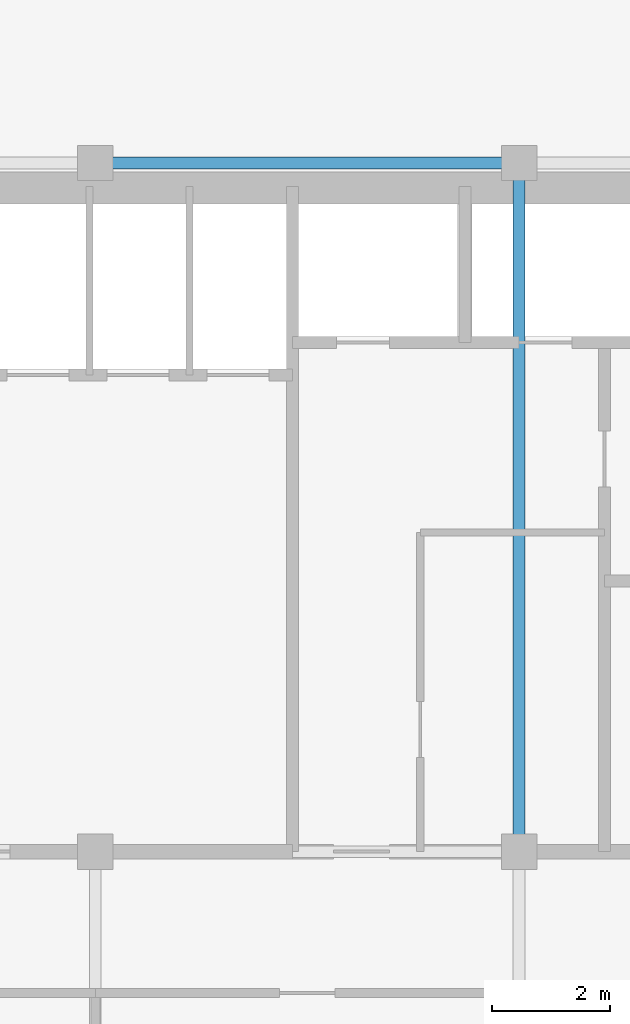
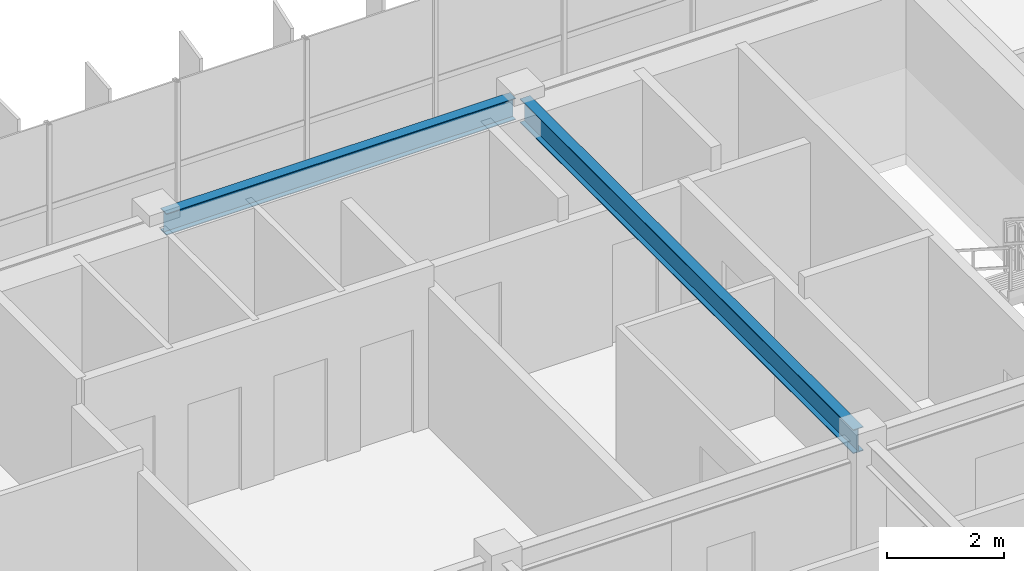
# One storey, part 10 of 22: 2 beams.
"""IFC4 building model written with IfcOpenShell, lengths in metres."""

from ifc_helpers import new_model, si_unit, direction, frame, origin, origin_2d, place, context, subcontext, project, spatial, i_section, extrude, source, transform, mapped, material, material_profile, profile_set, type_object, element, save


model = new_model("IFC4")

# Units and contexts
model_context = context("Model", 3, precision=1e-05, world=origin(), true_north=direction((0.0, 1.0)))
body_context = subcontext(model_context, "Body", "Model", "MODEL_VIEW")
ifc_project = project(units=[si_unit("LENGTHUNIT", "METRE"), si_unit("AREAUNIT", "SQUARE_METRE"), si_unit("VOLUMEUNIT", "CUBIC_METRE"), si_unit("PLANEANGLEUNIT", "RADIAN"), si_unit("MASSUNIT", "GRAM", prefix="KILO")], contexts=[model_context])

# Site, building, storey
site_placement = place(None, origin())
site = spatial("IfcSite", under=ifc_project, at=site_placement, CompositionType="ELEMENT")
building_placement = place(site_placement, origin())
building = spatial("IfcBuilding", under=site, at=building_placement, Name="Trelvane Seafront Commons", CompositionType="ELEMENT")
storey_placement = place(building_placement, frame((0.0, 0.0, 277.5)))
storey = spatial("IfcBuildingStorey", under=building, at=storey_placement, Name="L72", CompositionType="ELEMENT", Elevation=277.5)

# Beams
ifc_material = material(Name="Steel SM355 (S355)", Category="steel")
ifc_material_profile_1 = material_profile(ifc_material, i_section(OverallWidth=0.199951171875, OverallDepth=0.5, WebThickness=0.010009765625, FlangeThickness=0.01611328125, at=origin_2d()), Name="H-500x200x10x16")
ifc_profile_set_1 = profile_set([ifc_material_profile_1], Name="Steel SM355 (S355)")
beam_type_1 = type_object("IfcBeamType", Name="STR-BM-H500", PredefinedType="BEAM", material=ifc_profile_set_1)
shared_shape_1 = source(origin(), body_context, "Body", "SweptSolid", [
    extrude(i_section(OverallWidth=0.199951171875, OverallDepth=0.5, WebThickness=0.010009765625, FlangeThickness=0.01611328125, at=origin_2d()), origin(), (0.0, 0.0, 1.0), 11.39990234375),
])
beam_1_placement = place(storey_placement, frame((51.0, 33.550048828125, 3.1201171875), z_axis=(0.0, 1.0, 0.0), x_axis=(-1.0, 0.0, 0.0)))
element("IfcBeam", 1, at=beam_1_placement, inside=storey, type_object=beam_type_1, Name="L72 Primary Girder G-46", PredefinedType="BEAM", context=body_context, shape_type="MappedRepresentation", body=[
    mapped(shared_shape_1, transform((0.0, 0.0, 0.0), x_axis=(1.0, 0.0, 0.0), y_axis=(0.0, 1.0, 0.0), z_axis=(0.0, 0.0, 1.0), scale=1.0)),
])
ifc_material_profile_2 = material_profile(ifc_material, i_section(OverallWidth=0.199951171875, OverallDepth=0.449951171875, WebThickness=0.009033203125, FlangeThickness=0.013916015625, at=origin_2d()), Name="H-450x200x9x14")
ifc_profile_set_2 = profile_set([ifc_material_profile_2], Name="Steel SM355 (S355)")
beam_type_2 = type_object("IfcBeamType", Name="STR-SPD-H450", PredefinedType="SPANDREL", material=ifc_profile_set_2)
shared_shape_2 = source(origin(), body_context, "Body", "SweptSolid", [
    extrude(i_section(OverallWidth=0.199951171875, OverallDepth=0.449951171875, WebThickness=0.009033203125, FlangeThickness=0.013916015625, at=origin_2d()), origin(), (0.0, 0.0, 1.0), 6.900146484375),
])
beam_2_placement = place(storey_placement, frame((43.949951171875, 45.10009765625, 3.14501953125), z_axis=(1.0, 0.0, 0.0), x_axis=(0.0, 1.0, 0.0)))
element("IfcBeam", 2, at=beam_2_placement, inside=storey, type_object=beam_type_2, Name="L72 Primary Girder G-26", PredefinedType="SPANDREL", context=body_context, shape_type="MappedRepresentation", body=[
    mapped(shared_shape_2, transform((0.0, 0.0, 0.0), x_axis=(1.0, 0.0, 0.0), y_axis=(0.0, 1.0, 0.0), z_axis=(0.0, 0.0, 1.0), scale=1.0)),
])

save(model, "model.ifc")
